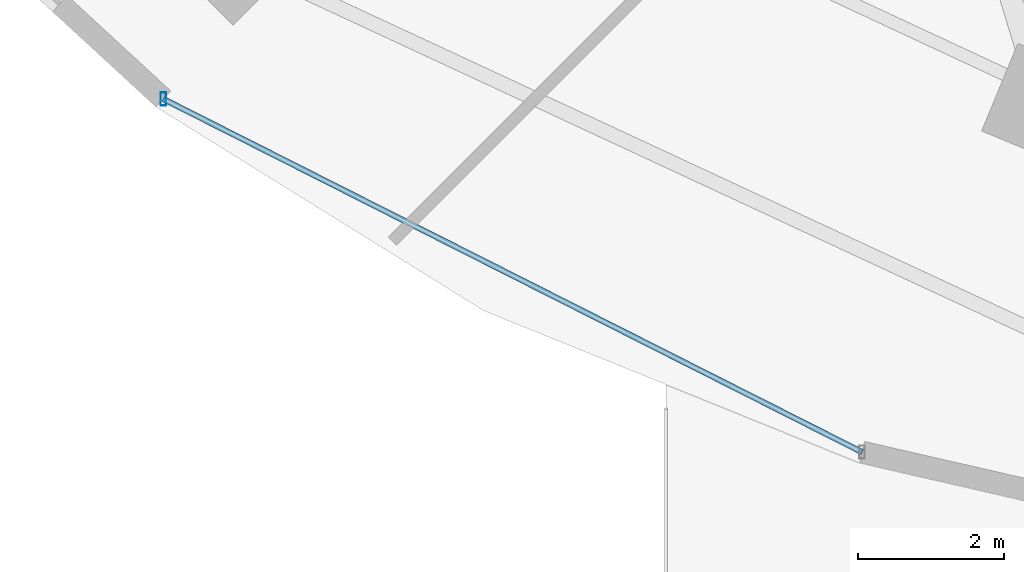
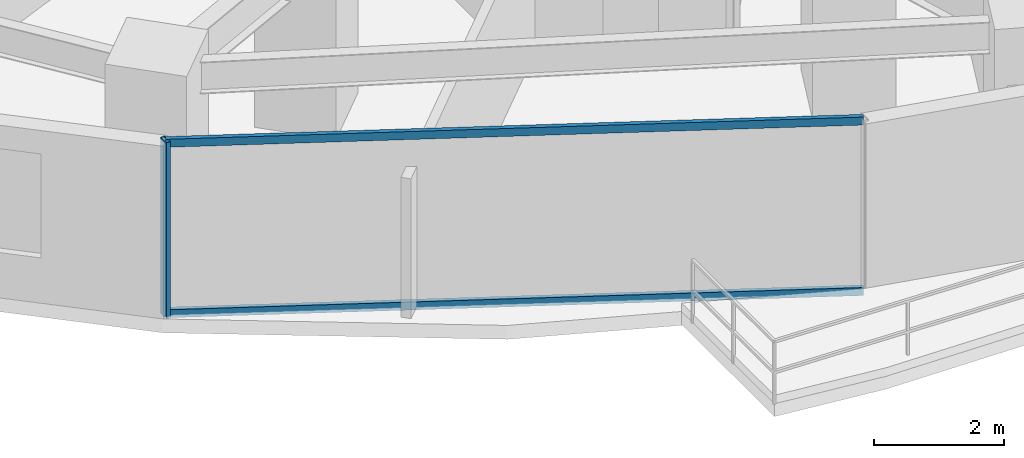
# One storey, part 2 of 36: 3 members, 1 element without a shape of its own.
"""IFC4 building model written with IfcOpenShell, lengths in metres."""

from ifc_helpers import new_model, si_unit, direction, frame, origin, origin_2d, place, context, subcontext, project, spatial, hollow_rectangle, extrude, material, material_profile, profile_set, type_object, element, aggregate, save


model = new_model("IFC4")

# Units and contexts
model_context = context("Model", 3, precision=1e-05, world=origin(), true_north=direction((0.0, 1.0)))
body_context = subcontext(model_context, "Body", "Model", "MODEL_VIEW")
ifc_project = project(units=[si_unit("LENGTHUNIT", "METRE"), si_unit("AREAUNIT", "SQUARE_METRE"), si_unit("VOLUMEUNIT", "CUBIC_METRE"), si_unit("PLANEANGLEUNIT", "RADIAN"), si_unit("MASSUNIT", "GRAM", prefix="KILO")], contexts=[model_context])

# Site, building, storey
site_placement = place(None, origin())
site = spatial("IfcSite", under=ifc_project, at=site_placement, CompositionType="ELEMENT")
building_placement = place(site_placement, origin())
building = spatial("IfcBuilding", under=site, at=building_placement, Name="Vorneva Point Tower", CompositionType="ELEMENT")
storey_placement = place(building_placement, frame((0.0, 0.0, 24.0)))
storey = spatial("IfcBuildingStorey", under=building, at=storey_placement, Name="L05", CompositionType="ELEMENT", Elevation=24.0)

# Curtain wall, members
ifc_material = material(Name="Pale anodised aluminium", Category="aluminium")
curtain_wall_type = type_object("IfcCurtainWallType", Name="CW-HTL-SYS", PredefinedType="NOTDEFINED", material=ifc_material)
curtain_wall_placement = place(storey_placement, origin())
curtain_wall = element("IfcCurtainWall", 1, at=curtain_wall_placement, inside=storey, type_object=curtain_wall_type, Name="L05 Unitised Curtain Wall CW-L05-R04", PredefinedType="NOTDEFINED")
ifc_material_profile_1 = material_profile(ifc_material, hollow_rectangle(XDim=0.074951171875, YDim=0.179931640625, WallThickness=0.00390625, at=origin_2d()), Name="AL-MUL 180x75x4")
ifc_profile_set_1 = profile_set([ifc_material_profile_1], Name="Pale anodised aluminium")
member_type_1 = type_object("IfcMemberType", Name="CW-MUL-180", PredefinedType="MULLION", material=ifc_profile_set_1)
member_1_placement = place(storey_placement, frame((17.10498046875, 10.1962890625, -0.0400390625), z_axis=(0.0, 0.0, 1.0), x_axis=(1.0, 0.0, 0.0)))
member_1 = element("IfcMember", 2, at=member_1_placement, type_object=member_type_1, Name="CW-L05-R04 Mullion 01", PredefinedType="MULLION", context=body_context, shape_type="SweptSolid", body=[
    extrude(hollow_rectangle(XDim=0.074951171875, YDim=0.179931640625, WallThickness=0.00390625, at=origin_2d()), origin(), (0.0, 0.0, 1.0), 3.31005859375),
])
ifc_material_profile_2 = material_profile(ifc_material, hollow_rectangle(XDim=0.074951171875, YDim=0.14990234375, WallThickness=0.00390625, at=origin_2d()), Name="AL-TRN 150x75x4")
ifc_profile_set_2 = profile_set([ifc_material_profile_2], Name="Pale anodised aluminium")
member_type_2 = type_object("IfcMemberType", Name="CW-TRN-150", PredefinedType="USERDEFINED", material=ifc_profile_set_2)
member_2_placement = place(storey_placement, frame((17.10498046875, 10.1962890625, 0.02001953125), z_axis=(0.892496057621, -0.451055192999, 0.0), x_axis=(0.451055192999, 0.892496057621, 0.0)))
member_2 = element("IfcMember", 3, at=member_2_placement, type_object=member_type_2, Name="CW-L05-R04 Transom 01.1", ObjectType="TRANSOM", PredefinedType="USERDEFINED", context=body_context, shape_type="SweptSolid", body=[
    extrude(hollow_rectangle(XDim=0.074951171875, YDim=0.14990234375, WallThickness=0.00390625, at=origin_2d()), origin(), (0.0, 0.0, 1.0), 10.741455078125),
])
member_3_placement = place(storey_placement, frame((17.10498046875, 10.1962890625, 3.219970703125), z_axis=(0.892496057621, -0.451055192999, 0.0), x_axis=(0.451055192999, 0.892496057621, 0.0)))
member_3 = element("IfcMember", 4, at=member_3_placement, type_object=member_type_2, Name="CW-L05-R04 Transom 01.2", ObjectType="TRANSOM", PredefinedType="USERDEFINED", context=body_context, shape_type="SweptSolid", body=[
    extrude(hollow_rectangle(XDim=0.074951171875, YDim=0.14990234375, WallThickness=0.00390625, at=origin_2d()), origin(), (0.0, 0.0, 1.0), 10.741455078125),
])
aggregate(curtain_wall, [member_1, member_2, member_3])

save(model, "model.ifc")
